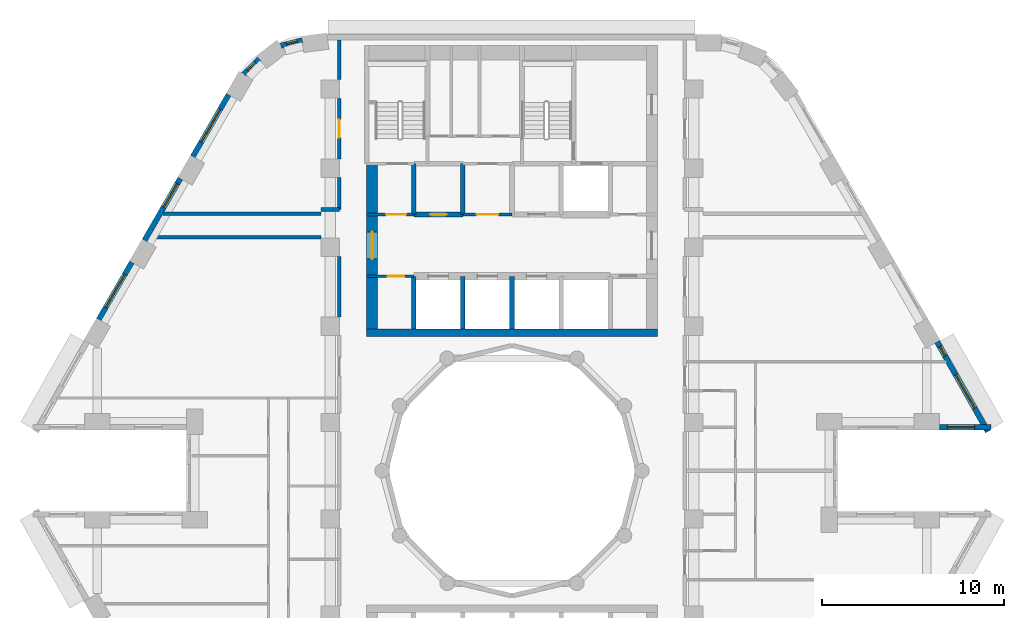
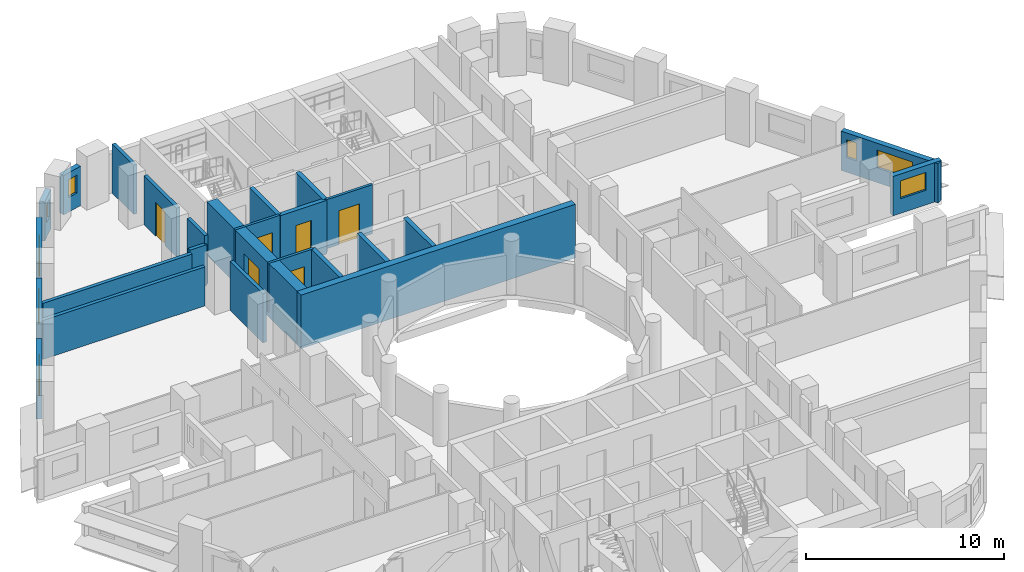
# One storey, part 7 of 12: 25 walls, 8 windows, 6 doors, 14 openings.
"""IFC4 building model written with IfcOpenShell, lengths in metres."""

from ifc_helpers import new_model, si_unit, direction, frame, frame_2d, origin, place, context, subcontext, project, spatial, rectangle, extrude, material, layer, layer_set, type_object, element, fill, save


model = new_model("IFC4")

# Units and contexts
model_context = context("Model", 3, precision=1e-05, world=origin(), true_north=direction((0.0, 1.0)))
body_context = subcontext(model_context, "Body", "Model", "MODEL_VIEW")
ifc_project = project(units=[si_unit("LENGTHUNIT", "METRE"), si_unit("AREAUNIT", "SQUARE_METRE"), si_unit("VOLUMEUNIT", "CUBIC_METRE"), si_unit("PLANEANGLEUNIT", "RADIAN"), si_unit("MASSUNIT", "GRAM", prefix="KILO")], contexts=[model_context])

# Site, building, storey
site_placement = place(None, origin())
site = spatial("IfcSite", under=ifc_project, at=site_placement, CompositionType="ELEMENT")
building_placement = place(site_placement, origin())
building = spatial("IfcBuilding", under=site, at=building_placement, Name="Nakaniwa Court", CompositionType="ELEMENT")
storey_placement = place(building_placement, frame((0.0, 0.0, 90.89990234375)))
storey = spatial("IfcBuildingStorey", under=building, at=storey_placement, Name="L23", CompositionType="ELEMENT", Elevation=90.89990234375)

# Walls
ifc_material_1 = material(Name="Acoustic double stud partition")
ifc_layer_1 = layer(ifc_material_1, 0.199951171875)
ifc_layer_set_1 = layer_set([ifc_layer_1], Name="Acoustic double stud partition")
wall_type_1 = type_object("IfcWallType", Name="Acoustic double stud partition 200", PredefinedType="PARTITIONING", material=ifc_layer_set_1)
wall_1_placement = place(storey_placement, frame((60.052490234375, 92.85009765625, 0.0), z_axis=(0.0, 0.0, 1.0), x_axis=(1.0, 0.0, 0.0)))
element("IfcWall", 1, at=wall_1_placement, inside=storey, type_object=wall_type_1, Name="Partition PW-081", PredefinedType="PARTITIONING", context=body_context, shape_type="SweptSolid", body=[
    extrude(rectangle(XDim=9.447509765625, YDim=0.199951171875, at=frame_2d((4.7236328125, 0.0))), origin(), (0.0, 0.0, 1.0), 2.405029296875),
])
wall_2_placement = place(storey_placement, frame((69.5, 94.375, 0.0), z_axis=(0.0, 0.0, 1.0), x_axis=(1.0, 0.0, 0.0)))
element("IfcWall", 2, at=wall_2_placement, inside=storey, type_object=wall_type_1, Name="Partition PW-083", PredefinedType="PARTITIONING", context=body_context, shape_type="SweptSolid", body=[
    extrude(rectangle(XDim=1.0, YDim=0.199951171875, at=frame_2d((0.5, 0.0))), origin(), (0.0, 0.0, 1.0), 2.505126953125),
])
wall_3_placement = place(storey_placement, frame((60.802978515625, 94.14990234375, 0.0), z_axis=(0.0, 0.0, 1.0), x_axis=(1.0, 0.0, 0.0)))
element("IfcWall", 3, at=wall_3_placement, inside=storey, type_object=wall_type_1, Name="Partition PW-085", PredefinedType="PARTITIONING", context=body_context, shape_type="SweptSolid", body=[
    extrude(rectangle(XDim=8.697021484375, YDim=0.199951171875, at=frame_2d((4.3486328125, 0.0))), origin(), (0.0, 0.0, 1.0), 2.405029296875),
])
wall_4_placement = place(storey_placement, frame((70.5, 88.467041015625, 0.0), z_axis=(0.0, 0.0, 1.0), x_axis=(0.0, 1.0, 0.0)))
element("IfcWall", 4, at=wall_4_placement, inside=storey, type_object=wall_type_1, Name="Partition PW-103", PredefinedType="PARTITIONING", context=body_context, shape_type="SweptSolid", body=[
    extrude(rectangle(XDim=3.31591796875, YDim=0.199951171875, at=frame_2d((1.657958984375, 0.0))), origin(), (0.0, 0.0, 1.0), 3.025146484375),
])
wall_5_placement = place(storey_placement, frame((70.5, 94.3720703125, 0.0), z_axis=(0.0, 0.0, 1.0), x_axis=(0.0, 1.0, 0.0)))
element("IfcWall", 5, at=wall_5_placement, inside=storey, type_object=wall_type_1, Name="Partition PW-104", PredefinedType="PARTITIONING", context=body_context, shape_type="SweptSolid", body=[
    extrude(rectangle(XDim=1.760986328125, YDim=0.199951171875, at=frame_2d((0.88037109375, 0.0))), origin(), (0.0, 0.0, 1.0), 3.025146484375),
])

# Wall, opening, door
wall_6_placement = place(storey_placement, frame((70.5, 97.1669921875, 0.0), z_axis=(0.0, 0.0, 1.0), x_axis=(0.0, 1.0, 0.0)))
wall_6 = element("IfcWall", 6, at=wall_6_placement, inside=storey, type_object=wall_type_1, Name="Partition PW-105", PredefinedType="PARTITIONING", context=body_context, shape_type="SweptSolid", body=[
    extrude(rectangle(XDim=3.31591796875, YDim=0.199951171875, at=frame_2d((1.657958984375, 0.0))), origin(), (0.0, 0.0, 1.0), 3.025146484375),
])
opening_1_placement = place(wall_6_placement, frame((1.157958984375, 0.0, 0.0)))
opening_1 = element("IfcOpeningElement", 7, at=opening_1_placement, cuts=wall_6, Name="Opening D-02-06", PredefinedType="OPENING", context=body_context, shape_type="SweptSolid", body=[
    extrude(rectangle(XDim=1.0, YDim=2.10009765625, at=frame_2d((0.5, 1.050048828125))), frame((0.0, 0.10986328125, 0.0), z_axis=(0.0, -1.0, 0.0), x_axis=(1.0, 0.0, 0.0)), (0.0, 0.0, 1.0), 0.219970703125),
])
ifc_material_2 = material(Name="Solid core timber door set, black veneer", Category="wood")
door_type_1 = type_object("IfcDoorType", Name="Internal door 1000", OperationType="NOTDEFINED", PredefinedType="DOOR", material=ifc_material_2)
door_1_placement = place(opening_1_placement, origin())
door_1 = element("IfcDoor", 8, at=door_1_placement, inside=storey, type_object=door_type_1, Name="Door D-02-06 L23-048", OperationType="SINGLE_SWING_LEFT", OverallHeight=2.10009765625, OverallWidth=1.0, PredefinedType="DOOR", context=body_context, shape_type="SweptSolid", body=[
    extrude(rectangle(XDim=1.0, YDim=2.10009765625, at=frame_2d((0.5, 1.050048828125))), frame((0.0, 0.02490234375, 0.0), z_axis=(0.0, -1.0, 0.0), x_axis=(1.0, 0.0, 0.0)), (0.0, 0.0, 1.0), 0.050048828125),
])
fill(opening_1, door_1)

# Wall
wall_7_placement = place(storey_placement, frame((70.5, 101.51708984375, 0.0), z_axis=(0.0, 0.0, 1.0), x_axis=(0.0, 1.0, 0.0)))
element("IfcWall", 9, at=wall_7_placement, inside=storey, type_object=wall_type_1, Name="Partition PW-106", PredefinedType="PARTITIONING", context=body_context, shape_type="SweptSolid", body=[
    extrude(rectangle(XDim=2.182861328125, YDim=0.199951171875, at=frame_2d((1.09130859375, 0.0))), origin(), (0.0, 0.0, 1.0), 3.025146484375),
])

# Wall, opening, window
ifc_material_3 = material(Name="Charcoal ceramic cladding")
ifc_layer_2 = layer(ifc_material_3, 0.02, Name="Ceramic cladding")
ifc_material_4 = material(Name="Ventilated air cavity")
ifc_layer_3 = layer(ifc_material_4, 0.04, ventilated=True, Name="Ventilated cavity")
ifc_material_5 = material(Name="Mineral wool insulation")
ifc_layer_4 = layer(ifc_material_5, 0.1, Name="Insulation")
ifc_material_6 = material(Name="Cement bonded sheathing board")
ifc_layer_5 = layer(ifc_material_6, 0.012, Name="Sheathing")
ifc_material_7 = material(Name="Cold-formed galvanised stud frame with mineral wool infill")
ifc_layer_6 = layer(ifc_material_7, 0.1, Name="Stud frame")
ifc_material_8 = material(Name="Fire-rated gypsum plasterboard lining")
ifc_layer_7 = layer(ifc_material_8, 0.028, Name="Lining")
ifc_layer_set_2 = layer_set([ifc_layer_2, ifc_layer_3, ifc_layer_4, ifc_layer_5, ifc_layer_6, ifc_layer_7], Name="Charcoal ceramic faced external wall system")
wall_type_2 = type_object("IfcWallType", Name="Black ceramic faced external wall 300", PredefinedType="SOLIDWALL", material=ifc_layer_set_2)
wall_8_placement = place(storey_placement, frame((103.518798828125, 82.39990234375, 0.0), z_axis=(0.0, 0.0, 1.0), x_axis=(1.0, 0.0, 0.0)))
wall_8 = element("IfcWall", 10, at=wall_8_placement, inside=storey, type_object=wall_type_2, Name="L23 external wall 01", PredefinedType="SOLIDWALL", context=body_context, shape_type="SweptSolid", body=[
    extrude(rectangle(XDim=2.837890625, YDim=0.300048828125, at=frame_2d((1.4189453125, 0.0))), origin(), (0.0, 0.0, 1.0), 2.425048828125),
])
opening_2_placement = place(wall_8_placement, frame((0.44384765625, 0.0, 0.89990234375)))
opening_2 = element("IfcOpeningElement", 11, at=opening_2_placement, cuts=wall_8, Name="Opening W5.02", PredefinedType="OPENING", context=body_context, shape_type="SweptSolid", body=[
    extrude(rectangle(XDim=1.5, YDim=1.10009765625, at=frame_2d((0.75, 0.550048828125))), frame((0.0, 0.159912109375, 0.0), z_axis=(0.0, -1.0, 0.0), x_axis=(1.0, 0.0, 0.0)), (0.0, 0.0, 1.0), 0.320068359375),
])
ifc_material_9 = material(Name="Black anodised aluminium frame with dark low-E laminated double glazing", Category="aluminium")
window_type_1 = type_object("IfcWindowType", Name="Dark glass window 1500x1100 sill 900", PartitioningType="SINGLE_PANEL", PredefinedType="WINDOW", material=ifc_material_9)
window_1_placement = place(opening_2_placement, origin())
window_1 = element("IfcWindow", 12, at=window_1_placement, inside=storey, type_object=window_type_1, Name="L23 living window 01-0", OverallHeight=1.10009765625, OverallWidth=1.5, PartitioningType="SINGLE_PANEL", PredefinedType="WINDOW", context=body_context, shape_type="SweptSolid", body=[
    extrude(rectangle(XDim=1.5, YDim=1.10009765625, at=frame_2d((0.75, 0.550048828125))), frame((0.0, 0.030029296875, 0.0), z_axis=(0.0, -1.0, 0.0), x_axis=(1.0, 0.0, 0.0)), (0.0, 0.0, 1.0), 0.06005859375),
])
fill(opening_2, window_1)

# Wall, openings, windows
wall_9_placement = place(storey_placement, frame((106.18603515625, 82.1533203125, 0.0), z_axis=(0.0, 0.0, 1.0), x_axis=(-0.492456858874, 0.870336855561, 0.0)))
wall_9 = element("IfcWall", 13, at=wall_9_placement, inside=storey, type_object=wall_type_2, Name="L23 external wall 02", PredefinedType="SOLIDWALL", context=body_context, shape_type="SweptSolid", body=[
    extrude(rectangle(XDim=5.676513671875, YDim=0.300048828125, at=frame_2d((2.83837890625, 0.0))), origin(), (0.0, 0.0, 1.0), 2.425048828125),
])
opening_3_placement = place(wall_9_placement, frame((1.48388671875, 0.0, 0.89990234375)))
opening_3 = element("IfcOpeningElement", 14, at=opening_3_placement, cuts=wall_9, Name="Opening W7.03", PredefinedType="OPENING", context=body_context, shape_type="SweptSolid", body=[
    extrude(rectangle(XDim=2.10009765625, YDim=1.10009765625, at=frame_2d((1.050048828125, 0.550048828125))), frame((0.0, 0.159912109375, 0.0), z_axis=(0.0, -1.0, 0.0), x_axis=(1.0, 0.0, 0.0)), (0.0, 0.0, 1.0), 0.320068359375),
])
opening_4_placement = place(wall_9_placement, frame((4.77099609375, 0.0, 0.89990234375)))
opening_4 = element("IfcOpeningElement", 15, at=opening_4_placement, cuts=wall_9, Name="Opening W8.04", PredefinedType="OPENING", context=body_context, shape_type="SweptSolid", body=[
    extrude(rectangle(XDim=0.60009765625, YDim=1.10009765625, at=frame_2d((0.300048828125, 0.550048828125))), frame((0.0, 0.159912109375, 0.0), z_axis=(0.0, -1.0, 0.0), x_axis=(1.0, 0.0, 0.0)), (0.0, 0.0, 1.0), 0.320068359375),
])
window_type_2 = type_object("IfcWindowType", Name="Dark glass window 2100x1100 sill 900", PartitioningType="SINGLE_PANEL", PredefinedType="WINDOW", material=ifc_material_9)
window_2_placement = place(opening_3_placement, origin())
window_2 = element("IfcWindow", 16, at=window_2_placement, inside=storey, type_object=window_type_2, Name="L23 living window 02-0", OverallHeight=1.10009765625, OverallWidth=2.10009765625, PartitioningType="SINGLE_PANEL", PredefinedType="WINDOW", context=body_context, shape_type="SweptSolid", body=[
    extrude(rectangle(XDim=2.10009765625, YDim=1.10009765625, at=frame_2d((1.050048828125, 0.550048828125))), frame((0.0, 0.030029296875, 0.0), z_axis=(0.0, -1.0, 0.0), x_axis=(1.0, 0.0, 0.0)), (0.0, 0.0, 1.0), 0.06005859375),
])
fill(opening_3, window_2)
window_type_3 = type_object("IfcWindowType", Name="Dark glass window 600x1100 sill 900", PartitioningType="SINGLE_PANEL", PredefinedType="WINDOW", material=ifc_material_9)
window_3_placement = place(opening_4_placement, origin())
window_3 = element("IfcWindow", 17, at=window_3_placement, inside=storey, type_object=window_type_3, Name="L23 habitable room window 02-1", OverallHeight=1.10009765625, OverallWidth=0.60009765625, PartitioningType="SINGLE_PANEL", PredefinedType="WINDOW", context=body_context, shape_type="SweptSolid", body=[
    extrude(rectangle(XDim=0.60009765625, YDim=1.10009765625, at=frame_2d((0.300048828125, 0.550048828125))), frame((0.0, 0.030029296875, 0.0), z_axis=(0.0, -1.0, 0.0), x_axis=(1.0, 0.0, 0.0)), (0.0, 0.0, 1.0), 0.06005859375),
])
fill(opening_4, window_3)

# Wall, opening, window
wall_10_placement = place(storey_placement, frame((68.455810546875, 103.68310546875, 0.0), z_axis=(0.0, 0.0, 1.0), x_axis=(-0.969485113966, -0.245150186208, 0.0)))
wall_10 = element("IfcWall", 18, at=wall_10_placement, inside=storey, type_object=wall_type_2, Name="L23 external wall 09", PredefinedType="SOLIDWALL", context=body_context, shape_type="SweptSolid", body=[
    extrude(rectangle(XDim=1.2080078125, YDim=0.300048828125, at=frame_2d((0.60400390625, 0.0))), origin(), (0.0, 0.0, 1.0), 2.425048828125),
])
opening_5_placement = place(wall_10_placement, frame((0.279541015625, 0.0, 0.89990234375)))
opening_5 = element("IfcOpeningElement", 19, at=opening_5_placement, cuts=wall_10, Name="Opening W8.10", PredefinedType="OPENING", context=body_context, shape_type="SweptSolid", body=[
    extrude(rectangle(XDim=0.60009765625, YDim=1.10009765625, at=frame_2d((0.300048828125, 0.550048828125))), frame((0.0, 0.159912109375, 0.0), z_axis=(0.0, -1.0, 0.0), x_axis=(1.0, 0.0, 0.0)), (0.0, 0.0, 1.0), 0.320068359375),
])
window_4_placement = place(opening_5_placement, origin())
window_4 = element("IfcWindow", 20, at=window_4_placement, inside=storey, type_object=window_type_3, Name="L23 habitable room window 09-0", OverallHeight=1.10009765625, OverallWidth=0.60009765625, PartitioningType="SINGLE_PANEL", PredefinedType="WINDOW", context=body_context, shape_type="SweptSolid", body=[
    extrude(rectangle(XDim=0.60009765625, YDim=1.10009765625, at=frame_2d((0.300048828125, 0.550048828125))), frame((0.0, 0.030029296875, 0.0), z_axis=(0.0, -1.0, 0.0), x_axis=(1.0, 0.0, 0.0)), (0.0, 0.0, 1.0), 0.06005859375),
])
fill(opening_5, window_4)

wall_11_placement = place(storey_placement, frame((66.085205078125, 102.66259765625, 0.0), z_axis=(0.0, 0.0, 1.0), x_axis=(-0.708951665509, -0.705257070842, 0.0)))
wall_11 = element("IfcWall", 21, at=wall_11_placement, inside=storey, type_object=wall_type_2, Name="L23 external wall 10", PredefinedType="SOLIDWALL", context=body_context, shape_type="SweptSolid", body=[
    extrude(rectangle(XDim=1.189453125, YDim=0.300048828125, at=frame_2d((0.5947265625, 0.0))), origin(), (0.0, 0.0, 1.0), 2.425048828125),
])
opening_6_placement = place(wall_11_placement, frame((0.284423828125, 0.0, 0.89990234375)))
opening_6 = element("IfcOpeningElement", 22, at=opening_6_placement, cuts=wall_11, Name="Opening W8.11", PredefinedType="OPENING", context=body_context, shape_type="SweptSolid", body=[
    extrude(rectangle(XDim=0.60009765625, YDim=1.10009765625, at=frame_2d((0.300048828125, 0.550048828125))), frame((0.0, 0.159912109375, 0.0), z_axis=(0.0, -1.0, 0.0), x_axis=(1.0, 0.0, 0.0)), (0.0, 0.0, 1.0), 0.320068359375),
])
window_5_placement = place(opening_6_placement, origin())
window_5 = element("IfcWindow", 23, at=window_5_placement, inside=storey, type_object=window_type_3, Name="L23 habitable room window 10-0", OverallHeight=1.10009765625, OverallWidth=0.60009765625, PartitioningType="SINGLE_PANEL", PredefinedType="WINDOW", context=body_context, shape_type="SweptSolid", body=[
    extrude(rectangle(XDim=0.60009765625, YDim=1.10009765625, at=frame_2d((0.300048828125, 0.550048828125))), frame((0.0, 0.030029296875, 0.0), z_axis=(0.0, -1.0, 0.0), x_axis=(1.0, 0.0, 0.0)), (0.0, 0.0, 1.0), 0.06005859375),
])
fill(opening_6, window_5)

wall_12_placement = place(storey_placement, frame((64.40966796875, 100.69677734375, 0.0), z_axis=(0.0, 0.0, 1.0), x_axis=(-0.500003583557, -0.866023334807, 0.0)))
wall_12 = element("IfcWall", 24, at=wall_12_placement, inside=storey, type_object=wall_type_2, Name="L23 external wall 11", PredefinedType="SOLIDWALL", context=body_context, shape_type="SweptSolid", body=[
    extrude(rectangle(XDim=3.93408203125, YDim=0.300048828125, at=frame_2d((1.967041015625, 0.0))), origin(), (0.0, 0.0, 1.0), 2.425048828125),
])
opening_7_placement = place(wall_12_placement, frame((0.9169921875, 0.0, 0.89990234375)))
opening_7 = element("IfcOpeningElement", 25, at=opening_7_placement, cuts=wall_12, Name="Opening W7.12", PredefinedType="OPENING", context=body_context, shape_type="SweptSolid", body=[
    extrude(rectangle(XDim=2.10009765625, YDim=1.10009765625, at=frame_2d((1.050048828125, 0.550048828125))), frame((0.0, 0.159912109375, 0.0), z_axis=(0.0, -1.0, 0.0), x_axis=(1.0, 0.0, 0.0)), (0.0, 0.0, 1.0), 0.320068359375),
])
window_6_placement = place(opening_7_placement, origin())
window_6 = element("IfcWindow", 26, at=window_6_placement, inside=storey, type_object=window_type_2, Name="L23 habitable room window 11-0", OverallHeight=1.10009765625, OverallWidth=2.10009765625, PartitioningType="SINGLE_PANEL", PredefinedType="WINDOW", context=body_context, shape_type="SweptSolid", body=[
    extrude(rectangle(XDim=2.10009765625, YDim=1.10009765625, at=frame_2d((1.050048828125, 0.550048828125))), frame((0.0, 0.030029296875, 0.0), z_axis=(0.0, -1.0, 0.0), x_axis=(1.0, 0.0, 0.0)), (0.0, 0.0, 1.0), 0.06005859375),
])
fill(opening_7, window_6)

wall_13_placement = place(storey_placement, frame((61.74658203125, 96.08447265625, 0.0), z_axis=(0.0, 0.0, 1.0), x_axis=(-0.499957037901, -0.866050206543, 0.0)))
wall_13 = element("IfcWall", 27, at=wall_13_placement, inside=storey, type_object=wall_type_2, Name="L23 external wall 12", PredefinedType="SOLIDWALL", context=body_context, shape_type="SweptSolid", body=[
    extrude(rectangle(XDim=3.933837890625, YDim=0.300048828125, at=frame_2d((1.966796875, 0.0))), origin(), (0.0, 0.0, 1.0), 2.425048828125),
])
opening_8_placement = place(wall_13_placement, frame((0.32958984375, 0.0, 0.89990234375)))
opening_8 = element("IfcOpeningElement", 28, at=opening_8_placement, cuts=wall_13, Name="Opening W5.13", PredefinedType="OPENING", context=body_context, shape_type="SweptSolid", body=[
    extrude(rectangle(XDim=1.5, YDim=1.10009765625, at=frame_2d((0.75, 0.550048828125))), frame((0.0, 0.159912109375, 0.0), z_axis=(0.0, -1.0, 0.0), x_axis=(1.0, 0.0, 0.0)), (0.0, 0.0, 1.0), 0.320068359375),
])
window_7_placement = place(opening_8_placement, origin())
window_7 = element("IfcWindow", 29, at=window_7_placement, inside=storey, type_object=window_type_1, Name="L23 habitable room window 12-0", OverallHeight=1.10009765625, OverallWidth=1.5, PartitioningType="SINGLE_PANEL", PredefinedType="WINDOW", context=body_context, shape_type="SweptSolid", body=[
    extrude(rectangle(XDim=1.5, YDim=1.10009765625, at=frame_2d((0.75, 0.550048828125))), frame((0.0, 0.030029296875, 0.0), z_axis=(0.0, -1.0, 0.0), x_axis=(1.0, 0.0, 0.0)), (0.0, 0.0, 1.0), 0.06005859375),
])
fill(opening_8, window_7)

wall_14_placement = place(storey_placement, frame((59.083740234375, 91.471923828125, 0.0), z_axis=(0.0, 0.0, 1.0), x_axis=(-0.500009139881, -0.866020126807, 0.0)))
wall_14 = element("IfcWall", 30, at=wall_14_placement, inside=storey, type_object=wall_type_2, Name="L23 external wall 13", PredefinedType="SOLIDWALL", context=body_context, shape_type="SweptSolid", body=[
    extrude(rectangle(XDim=3.63671875, YDim=0.300048828125, at=frame_2d((1.818359375, 0.0))), origin(), (0.0, 0.0, 1.0), 2.425048828125),
])
opening_9_placement = place(wall_14_placement, frame((0.768310546875, 0.0, 0.89990234375)))
opening_9 = element("IfcOpeningElement", 31, at=opening_9_placement, cuts=wall_14, Name="Opening W7.14", PredefinedType="OPENING", context=body_context, shape_type="SweptSolid", body=[
    extrude(rectangle(XDim=2.10009765625, YDim=1.10009765625, at=frame_2d((1.050048828125, 0.550048828125))), frame((0.0, 0.159912109375, 0.0), z_axis=(0.0, -1.0, 0.0), x_axis=(1.0, 0.0, 0.0)), (0.0, 0.0, 1.0), 0.320068359375),
])
window_8_placement = place(opening_9_placement, origin())
window_8 = element("IfcWindow", 32, at=window_8_placement, inside=storey, type_object=window_type_2, Name="L23 habitable room window 13-0", OverallHeight=1.10009765625, OverallWidth=2.10009765625, PartitioningType="SINGLE_PANEL", PredefinedType="WINDOW", context=body_context, shape_type="SweptSolid", body=[
    extrude(rectangle(XDim=2.10009765625, YDim=1.10009765625, at=frame_2d((1.050048828125, 0.550048828125))), frame((0.0, 0.030029296875, 0.0), z_axis=(0.0, -1.0, 0.0), x_axis=(1.0, 0.0, 0.0)), (0.0, 0.0, 1.0), 0.06005859375),
])
fill(opening_9, window_8)

# Wall, opening, door
ifc_material_10 = material(Name="Blockwork partition", Category="masonry")
ifc_layer_8 = layer(ifc_material_10, 0.14990234375)
ifc_layer_set_3 = layer_set([ifc_layer_8], Name="Blockwork partition")
wall_type_3 = type_object("IfcWallType", Name="Blockwork partition 150", PredefinedType="PARTITIONING", material=ifc_layer_set_3)
wall_15_placement = place(storey_placement, frame((74.60009765625, 90.699951171875, 0.0), z_axis=(0.0, 0.0, 1.0), x_axis=(-1.0, 0.0, 0.0)))
wall_15 = element("IfcWall", 33, at=wall_15_placement, inside=storey, type_object=wall_type_3, Name="Partition PW-003", PredefinedType="PARTITIONING", context=body_context, shape_type="SweptSolid", body=[
    extrude(rectangle(XDim=2.60009765625, YDim=0.14990234375, at=frame_2d((1.300048828125, 0.0))), origin(), (0.0, 0.0, 1.0), 3.025146484375),
])
opening_10_placement = place(wall_15_placement, frame((0.52490234375, 0.0, 0.0)))
opening_10 = element("IfcOpeningElement", 34, at=opening_10_placement, cuts=wall_15, Name="Opening D-05-01", PredefinedType="OPENING", context=body_context, shape_type="SweptSolid", body=[
    extrude(rectangle(XDim=0.89990234375, YDim=2.10009765625, at=frame_2d((0.449951171875, 1.050048828125))), frame((0.0, 0.0849609375, 0.0), z_axis=(0.0, -1.0, 0.0), x_axis=(1.0, 0.0, 0.0)), (0.0, 0.0, 1.0), 0.169921875),
])
ifc_material_11 = material(Name="Fire rated steel door set", Category="steel")
door_type_2 = type_object("IfcDoorType", Name="Service room door 900", OperationType="NOTDEFINED", PredefinedType="DOOR", material=ifc_material_11)
door_2_placement = place(opening_10_placement, origin())
door_2 = element("IfcDoor", 35, at=door_2_placement, inside=storey, type_object=door_type_2, Name="Door D-05-01 L23-001", OperationType="SINGLE_SWING_RIGHT", OverallHeight=2.10009765625, OverallWidth=0.89990234375, PredefinedType="DOOR", context=body_context, shape_type="SweptSolid", body=[
    extrude(rectangle(XDim=0.89990234375, YDim=2.10009765625, at=frame_2d((0.449951171875, 1.050048828125))), frame((0.0, 0.02490234375, 0.0), z_axis=(0.0, -1.0, 0.0), x_axis=(1.0, 0.0, 0.0)), (0.0, 0.0, 1.0), 0.050048828125),
])
fill(opening_10, door_2)

wall_16_placement = place(storey_placement, frame((72.0, 94.10009765625, 0.0), z_axis=(0.0, 0.0, 1.0), x_axis=(1.0, 0.0, 0.0)))
wall_16 = element("IfcWall", 36, at=wall_16_placement, inside=storey, type_object=wall_type_3, Name="Partition PW-016", PredefinedType="PARTITIONING", context=body_context, shape_type="SweptSolid", body=[
    extrude(rectangle(XDim=2.60302734375, YDim=0.14990234375, at=frame_2d((1.301513671875, 0.0))), origin(), (0.0, 0.0, 1.0), 3.025146484375),
])
opening_11_placement = place(wall_16_placement, frame((1.074951171875, 0.0, 0.0)))
opening_11 = element("IfcOpeningElement", 37, at=opening_11_placement, cuts=wall_16, Name="Opening D-08-01", PredefinedType="OPENING", context=body_context, shape_type="SweptSolid", body=[
    extrude(rectangle(XDim=1.10009765625, YDim=2.10009765625, at=frame_2d((0.550048828125, 1.050048828125))), frame((0.0, 0.0849609375, 0.0), z_axis=(0.0, -1.0, 0.0), x_axis=(1.0, 0.0, 0.0)), (0.0, 0.0, 1.0), 0.169921875),
])
door_type_3 = type_object("IfcDoorType", Name="Stair lobby door 1100", OperationType="NOTDEFINED", PredefinedType="DOOR", material=ifc_material_11)
door_3_placement = place(opening_11_placement, origin())
door_3 = element("IfcDoor", 38, at=door_3_placement, inside=storey, type_object=door_type_3, Name="Door D-08-01 L23-003", OperationType="SINGLE_SWING_RIGHT", OverallHeight=2.10009765625, OverallWidth=1.10009765625, PredefinedType="DOOR", context=body_context, shape_type="SweptSolid", body=[
    extrude(rectangle(XDim=1.10009765625, YDim=2.10009765625, at=frame_2d((0.550048828125, 1.050048828125))), frame((0.0, 0.02490234375, 0.0), z_axis=(0.0, -1.0, 0.0), x_axis=(1.0, 0.0, 0.0)), (0.0, 0.0, 1.0), 0.050048828125),
])
fill(opening_11, door_3)

wall_17_placement = place(storey_placement, frame((77.297119140625, 94.10009765625, 0.0), z_axis=(0.0, 0.0, 1.0), x_axis=(1.0, 0.0, 0.0)))
wall_17 = element("IfcWall", 39, at=wall_17_placement, inside=storey, type_object=wall_type_3, Name="Partition PW-017", PredefinedType="PARTITIONING", context=body_context, shape_type="SweptSolid", body=[
    extrude(rectangle(XDim=2.705810546875, YDim=0.14990234375, at=frame_2d((1.35302734375, 0.0))), origin(), (0.0, 0.0, 1.0), 3.025146484375),
])
opening_12_placement = place(wall_17_placement, frame((0.7529296875, 0.0, 0.0)))
opening_12 = element("IfcOpeningElement", 40, at=opening_12_placement, cuts=wall_17, Name="Opening D-06-01", PredefinedType="OPENING", context=body_context, shape_type="SweptSolid", body=[
    extrude(rectangle(XDim=1.199951171875, YDim=2.10009765625, at=frame_2d((0.60009765625, 1.050048828125))), frame((0.0, 0.0849609375, 0.0), z_axis=(0.0, -1.0, 0.0), x_axis=(1.0, 0.0, 0.0)), (0.0, 0.0, 1.0), 0.169921875),
])
ifc_material_12 = material(Name="Fire rated steel double door set", Category="steel")
door_type_4 = type_object("IfcDoorType", Name="Service passage double door 1200", OperationType="NOTDEFINED", PredefinedType="DOOR", material=ifc_material_12)
door_4_placement = place(opening_12_placement, origin())
door_4 = element("IfcDoor", 41, at=door_4_placement, inside=storey, type_object=door_type_4, Name="Door D-06-01 L23-005", OperationType="DOUBLE_DOOR_SINGLE_SWING", OverallHeight=2.10009765625, OverallWidth=1.199951171875, PredefinedType="DOOR", context=body_context, shape_type="SweptSolid", body=[
    extrude(rectangle(XDim=1.199951171875, YDim=2.10009765625, at=frame_2d((0.60009765625, 1.050048828125))), frame((0.0, 0.02490234375, 0.0), z_axis=(0.0, -1.0, 0.0), x_axis=(1.0, 0.0, 0.0)), (0.0, 0.0, 1.0), 0.050048828125),
])
fill(opening_12, door_4)

ifc_material_13 = material(Name="Concrete C80/100", Category="concrete")
ifc_layer_9 = layer(ifc_material_13, 0.60009765625)
ifc_layer_set_4 = layer_set([ifc_layer_9], Name="Concrete C80/100")
wall_type_4 = type_object("IfcWallType", Name="Concrete core side wall 600 C80", PredefinedType="SHEAR", material=ifc_layer_set_4)
wall_18_placement = place(storey_placement, frame((72.300048828125, 87.800048828125, -0.27490234375), z_axis=(0.0, 0.0, 1.0), x_axis=(0.0, 1.0, 0.0)))
wall_18 = element("IfcWall", 42, at=wall_18_placement, inside=storey, type_object=wall_type_4, Name="Core wall SW-04", PredefinedType="SHEAR", context=body_context, shape_type="SweptSolid", body=[
    extrude(rectangle(XDim=9.099853515625, YDim=0.60009765625, at=frame_2d((4.5498046875, 0.0))), origin(), (0.0, 0.0, 1.0), 3.300048828125),
])
opening_13_placement = place(wall_18_placement, frame((3.85009765625, 0.0, 0.27490234375)))
opening_13 = element("IfcOpeningElement", 43, at=opening_13_placement, cuts=wall_18, Name="Opening D-07-02", PredefinedType="OPENING", context=body_context, shape_type="SweptSolid", body=[
    extrude(rectangle(XDim=1.5, YDim=2.10009765625, at=frame_2d((0.75, 1.050048828125))), frame((0.0, 0.31005859375, 0.0), z_axis=(0.0, -1.0, 0.0), x_axis=(1.0, 0.0, 0.0)), (0.0, 0.0, 1.0), 0.6201171875),
])
ifc_material_14 = material(Name="Glazed fire rated steel double door set", Category="steel")
door_type_5 = type_object("IfcDoorType", Name="Lobby double door 1500", OperationType="NOTDEFINED", PredefinedType="DOOR", material=ifc_material_14)
door_5_placement = place(opening_13_placement, origin())
door_5 = element("IfcDoor", 44, at=door_5_placement, inside=storey, type_object=door_type_5, Name="Door D-07-02 L23-052", OperationType="DOUBLE_DOOR_SINGLE_SWING", OverallHeight=2.10009765625, OverallWidth=1.5, PredefinedType="DOOR", context=body_context, shape_type="SweptSolid", body=[
    extrude(rectangle(XDim=1.5, YDim=2.10009765625, at=frame_2d((0.75, 1.050048828125))), frame((0.0, 0.02490234375, 0.0), z_axis=(0.0, -1.0, 0.0), x_axis=(1.0, 0.0, 0.0)), (0.0, 0.0, 1.0), 0.050048828125),
])
fill(opening_13, door_5)

# Walls
ifc_layer_10 = layer(ifc_material_13, 0.39990234375)
ifc_layer_set_5 = layer_set([ifc_layer_10], Name="Concrete C80/100")
wall_type_5 = type_object("IfcWallType", Name="Concrete core well wall 400 C80", PredefinedType="SHEAR", material=ifc_layer_set_5)
wall_19_placement = place(storey_placement, frame((72.00390625, 87.60009765625, -0.27490234375), z_axis=(0.0, 0.0, 1.0), x_axis=(1.0, 0.0, 0.0)))
element("IfcWall", 45, at=wall_19_placement, inside=storey, type_object=wall_type_5, Name="Core wall SW-126", PredefinedType="SHEAR", context=body_context, shape_type="SweptSolid", body=[
    extrude(rectangle(XDim=15.9921875, YDim=0.39990234375, at=frame_2d((7.99609375, 0.0))), origin(), (0.0, 0.0, 1.0), 3.300048828125),
])
ifc_layer_11 = layer(ifc_material_13, 0.25)
ifc_layer_set_6 = layer_set([ifc_layer_11], Name="Concrete C80/100")
wall_type_6 = type_object("IfcWallType", Name="Concrete shaft wall 250 C80", PredefinedType="SHEAR", material=ifc_layer_set_6)
wall_20_placement = place(storey_placement, frame((74.60009765625, 87.800048828125, -0.27490234375), z_axis=(0.0, 0.0, 1.0), x_axis=(0.0, 1.0, 0.0)))
element("IfcWall", 46, at=wall_20_placement, inside=storey, type_object=wall_type_6, Name="Core wall SW-01", PredefinedType="SHEAR", context=body_context, shape_type="SweptSolid", body=[
    extrude(rectangle(XDim=2.89990234375, YDim=0.25, at=frame_2d((1.449951171875, 0.0))), origin(), (0.0, 0.0, 1.0), 3.300048828125),
])
wall_21_placement = place(storey_placement, frame((74.60009765625, 94.10009765625, -0.27490234375), z_axis=(0.0, 0.0, 1.0), x_axis=(0.0, 1.0, 0.0)))
element("IfcWall", 47, at=wall_21_placement, inside=storey, type_object=wall_type_6, Name="Core wall SW-02", PredefinedType="SHEAR", context=body_context, shape_type="SweptSolid", body=[
    extrude(rectangle(XDim=2.7998046875, YDim=0.25, at=frame_2d((1.39990234375, 0.0))), origin(), (0.0, 0.0, 1.0), 3.300048828125),
])
wall_22_placement = place(storey_placement, frame((77.300048828125, 87.800048828125, -0.27490234375), z_axis=(0.0, 0.0, 1.0), x_axis=(0.0, 1.0, 0.0)))
element("IfcWall", 48, at=wall_22_placement, inside=storey, type_object=wall_type_6, Name="Core wall SW-05", PredefinedType="SHEAR", context=body_context, shape_type="SweptSolid", body=[
    extrude(rectangle(XDim=2.89990234375, YDim=0.25, at=frame_2d((1.449951171875, 0.0))), origin(), (0.0, 0.0, 1.0), 3.300048828125),
])
wall_23_placement = place(storey_placement, frame((77.300048828125, 94.10009765625, -0.27490234375), z_axis=(0.0, 0.0, 1.0), x_axis=(0.0, 1.0, 0.0)))
element("IfcWall", 49, at=wall_23_placement, inside=storey, type_object=wall_type_6, Name="Core wall SW-06", PredefinedType="SHEAR", context=body_context, shape_type="SweptSolid", body=[
    extrude(rectangle(XDim=2.7998046875, YDim=0.25, at=frame_2d((1.39990234375, 0.0))), origin(), (0.0, 0.0, 1.0), 3.300048828125),
])
wall_24_placement = place(storey_placement, frame((80.0, 87.800048828125, -0.27490234375), z_axis=(0.0, 0.0, 1.0), x_axis=(0.0, 1.0, 0.0)))
element("IfcWall", 50, at=wall_24_placement, inside=storey, type_object=wall_type_6, Name="Core wall SW-08", PredefinedType="SHEAR", context=body_context, shape_type="SweptSolid", body=[
    extrude(rectangle(XDim=2.89990234375, YDim=0.25, at=frame_2d((1.449951171875, 0.0))), origin(), (0.0, 0.0, 1.0), 3.300048828125),
])

# Wall, opening, door
wall_25_placement = place(storey_placement, frame((74.596923828125, 94.10009765625, -0.27490234375), z_axis=(0.0, 0.0, 1.0), x_axis=(1.0, 0.0, 0.0)))
wall_25 = element("IfcWall", 51, at=wall_25_placement, inside=storey, type_object=wall_type_6, Name="Core wall SW-19", PredefinedType="SHEAR", context=body_context, shape_type="SweptSolid", body=[
    extrude(rectangle(XDim=2.7060546875, YDim=0.25, at=frame_2d((1.35302734375, 0.0))), origin(), (0.0, 0.0, 1.0), 3.300048828125),
])
opening_14_placement = place(wall_25_placement, frame((0.903076171875, 0.0, 0.27490234375)))
opening_14 = element("IfcOpeningElement", 52, at=opening_14_placement, cuts=wall_25, Name="Opening D-05-03", PredefinedType="OPENING", context=body_context, shape_type="SweptSolid", body=[
    extrude(rectangle(XDim=0.89990234375, YDim=2.10009765625, at=frame_2d((0.449951171875, 1.050048828125))), frame((0.0, 0.135009765625, 0.0), z_axis=(0.0, -1.0, 0.0), x_axis=(1.0, 0.0, 0.0)), (0.0, 0.0, 1.0), 0.27001953125),
])
door_6_placement = place(opening_14_placement, origin())
door_6 = element("IfcDoor", 53, at=door_6_placement, inside=storey, type_object=door_type_2, Name="Door D-05-03 L23-004", OperationType="SINGLE_SWING_LEFT", OverallHeight=2.10009765625, OverallWidth=0.89990234375, PredefinedType="DOOR", context=body_context, shape_type="SweptSolid", body=[
    extrude(rectangle(XDim=0.89990234375, YDim=2.10009765625, at=frame_2d((0.449951171875, 1.050048828125))), frame((0.0, 0.02490234375, 0.0), z_axis=(0.0, -1.0, 0.0), x_axis=(1.0, 0.0, 0.0)), (0.0, 0.0, 1.0), 0.050048828125),
])
fill(opening_14, door_6)

save(model, "model.ifc")
